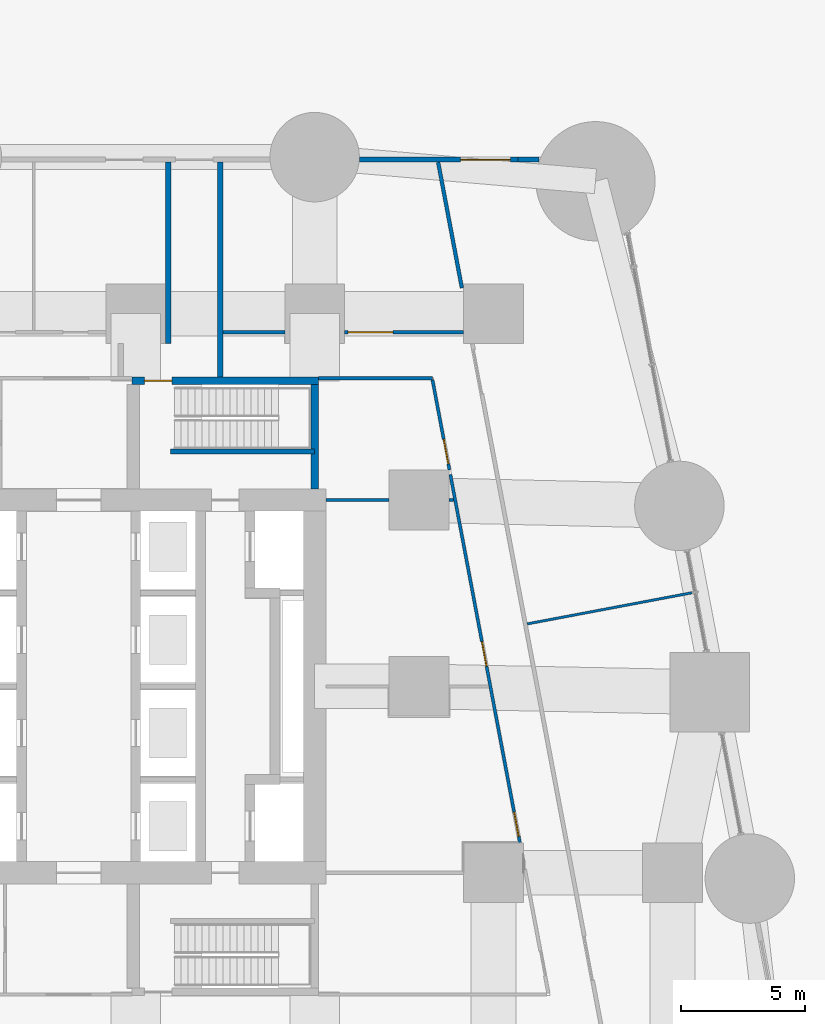
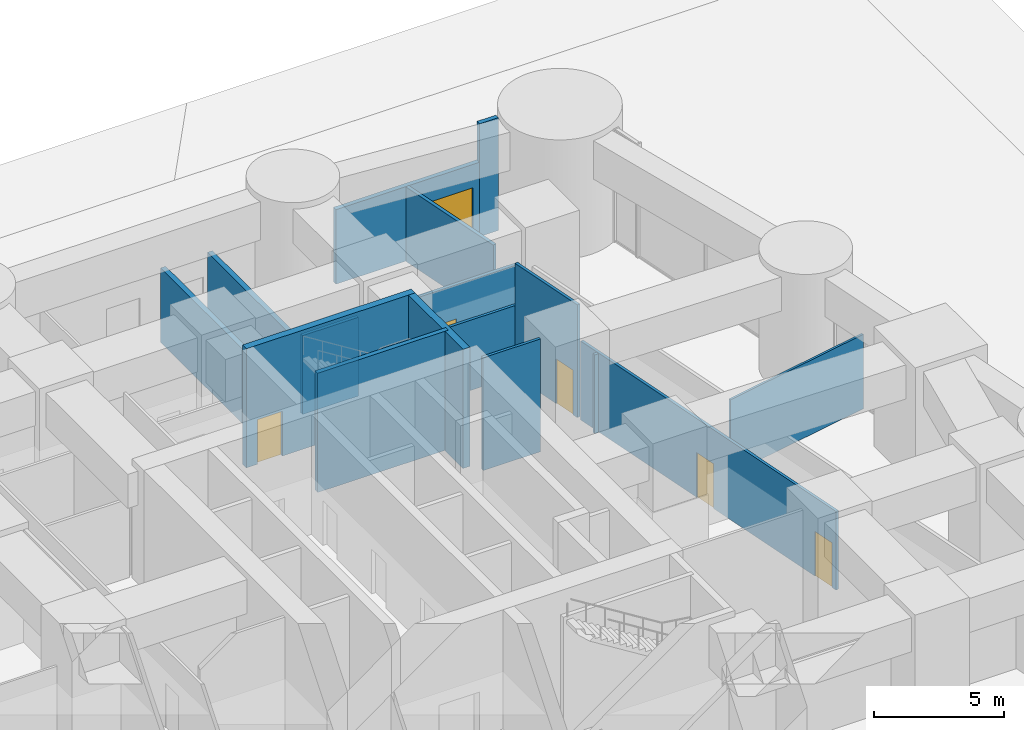
# One storey, part 12 of 16: 16 walls, 6 doors, 6 openings.
"""IFC4 building model written with IfcOpenShell, lengths in metres."""

from ifc_helpers import new_model, si_unit, direction, frame, frame_2d, origin, place, context, subcontext, project, spatial, rectangle, extrude, material, layer, layer_set, type_object, element, fill, save


model = new_model("IFC4")

# Units and contexts
model_context = context("Model", 3, precision=1e-05, world=origin(), true_north=direction((0.0, 1.0)))
body_context = subcontext(model_context, "Body", "Model", "MODEL_VIEW")
ifc_project = project(units=[si_unit("LENGTHUNIT", "METRE"), si_unit("AREAUNIT", "SQUARE_METRE"), si_unit("VOLUMEUNIT", "CUBIC_METRE"), si_unit("PLANEANGLEUNIT", "RADIAN"), si_unit("MASSUNIT", "GRAM", prefix="KILO")], contexts=[model_context])

# Site, building, storey
site_placement = place(None, origin())
site = spatial("IfcSite", under=ifc_project, at=site_placement, CompositionType="ELEMENT")
building_placement = place(site_placement, origin())
building = spatial("IfcBuilding", under=site, at=building_placement, Name="Sheger Commons Tower", CompositionType="ELEMENT")
storey_placement = place(building_placement, origin())
storey = spatial("IfcBuildingStorey", under=building, at=storey_placement, Name="L00", CompositionType="ELEMENT", Elevation=0.0)

# Wall
ifc_material_1 = material(Name="Hollow concrete block masonry, skimmed both sides", Category="masonry")
ifc_layer_1 = layer(ifc_material_1, 0.14990234375)
ifc_layer_set_1 = layer_set([ifc_layer_1], Name="CORRIDOR WALL 150")
wall_type_1 = type_object("IfcWallType", Name="CORRIDOR WALL 150", PredefinedType="SOLIDWALL", material=ifc_layer_set_1)
wall_1_placement = place(storey_placement, frame((25.113037109375, 36.75, 0.0), z_axis=(0.0, 0.0, 1.0), x_axis=(1.0, 0.0, 0.0)))
element("IfcWall", 1, at=wall_1_placement, inside=storey, type_object=wall_type_1, Name="Corridor wall L00", PredefinedType="SOLIDWALL", context=body_context, shape_type="SweptSolid", body=[
    extrude(rectangle(XDim=2.486083984375, YDim=0.14990234375, at=frame_2d((1.2431640625, 0.0))), origin(), (0.0, 0.0, 1.0), 3.699951171875),
])

# Wall, opening, door
wall_2_placement = place(storey_placement, frame((30.0009765625, 36.75, 0.0), z_axis=(0.0, 0.0, 1.0), x_axis=(1.0, 0.0, 0.0)))
wall_2 = element("IfcWall", 2, at=wall_2_placement, inside=storey, type_object=wall_type_1, Name="Corridor wall L00", PredefinedType="SOLIDWALL", context=body_context, shape_type="SweptSolid", body=[
    extrude(rectangle(XDim=4.798095703125, YDim=0.14990234375, at=frame_2d((2.39892578125, 0.0))), origin(), (0.0, 0.0, 1.0), 3.699951171875),
])
opening_1_placement = place(wall_2_placement, frame((0.14990234375, 0.0, 0.0)))
opening_1 = element("IfcOpeningElement", 3, at=opening_1_placement, cuts=wall_2, Name="Opening D6", PredefinedType="OPENING", context=body_context, shape_type="SweptSolid", body=[
    extrude(rectangle(XDim=1.800048828125, YDim=2.10009765625, at=frame_2d((0.89990234375, 1.050048828125))), frame((0.0, 0.0849609375, 0.0), z_axis=(0.0, -1.0, 0.0), x_axis=(1.0, 0.0, 0.0)), (0.0, 0.0, 1.0), 0.169921875),
])
ifc_material_2 = material(Name="Steel door set, fire rated", Category="steel")
door_type_1 = type_object("IfcDoorType", Name="LOBBY DOUBLE DOOR 1800x2100", OperationType="DOUBLE_DOOR_SINGLE_SWING", PredefinedType="DOOR", material=ifc_material_2)
door_1_placement = place(opening_1_placement, origin())
door_1 = element("IfcDoor", 4, at=door_1_placement, inside=storey, type_object=door_type_1, Name="Shop door", OperationType="DOUBLE_DOOR_SINGLE_SWING", OverallHeight=2.10009765625, OverallWidth=1.800048828125, PredefinedType="DOOR", context=body_context, shape_type="SweptSolid", body=[
    extrude(rectangle(XDim=1.800048828125, YDim=2.10009765625, at=frame_2d((0.89990234375, 1.050048828125))), frame((0.0, 0.02490234375, 0.0), z_axis=(0.0, -1.0, 0.0), x_axis=(1.0, 0.0, 0.0)), (0.0, 0.0, 1.0), 0.050048828125),
])
fill(opening_1, door_1)

# Walls
wall_3_placement = place(storey_placement, frame((33.76904296875, 43.60009765625, 0.0), z_axis=(0.0, 0.0, 1.0), x_axis=(0.185588997398, -0.98262745944, 0.0)))
element("IfcWall", 5, at=wall_3_placement, inside=storey, type_object=wall_type_1, Name="Corridor wall L00", PredefinedType="SOLIDWALL", context=body_context, shape_type="SweptSolid", body=[
    extrude(rectangle(XDim=5.15673828125, YDim=0.14990234375, at=frame_2d((2.578369140625, 0.0))), origin(), (0.0, 0.0, 1.0), 3.5),
])
ifc_material_3 = material(Name="Rendered concrete block masonry, dark grey", Category="masonry")
ifc_layer_2 = layer(ifc_material_3, 0.199951171875)
ifc_layer_set_2 = layer_set([ifc_layer_2], Name="FACADE WALL 200")
wall_type_2 = type_object("IfcWallType", Name="FACADE WALL 200", PredefinedType="SOLIDWALL", material=ifc_layer_set_2)
wall_4_placement = place(storey_placement, frame((37.820068359375, 43.699951171875, 0.0), z_axis=(0.0, 0.0, 1.0), x_axis=(-1.0, 0.0, 0.0)))
element("IfcWall", 6, at=wall_4_placement, inside=storey, type_object=wall_type_2, Name="Facade wall L00", PredefinedType="SOLIDWALL", context=body_context, shape_type="SweptSolid", body=[
    extrude(rectangle(XDim=0.843017578125, YDim=0.199951171875, at=frame_2d((0.42138671875, 0.0))), origin(), (0.0, 0.0, 1.0), 5.300048828125),
])

# Wall, opening, door
wall_5_placement = place(storey_placement, frame((36.97705078125, 43.699951171875, 0.0), z_axis=(0.0, 0.0, 1.0), x_axis=(-1.0, 0.0, 0.0)))
wall_5 = element("IfcWall", 7, at=wall_5_placement, inside=storey, type_object=wall_type_2, Name="Facade wall L00", PredefinedType="SOLIDWALL", context=body_context, shape_type="SweptSolid", body=[
    extrude(rectangle(XDim=6.3759765625, YDim=0.199951171875, at=frame_2d((3.18798828125, 0.0))), origin(), (0.0, 0.0, 1.0), 3.5),
])
opening_2_placement = place(wall_5_placement, frame((0.300048828125, 0.0, 0.0)))
opening_2 = element("IfcOpeningElement", 8, at=opening_2_placement, cuts=wall_5, Name="Opening DE1", PredefinedType="OPENING", context=body_context, shape_type="SweptSolid", body=[
    extrude(rectangle(XDim=2.0, YDim=2.39990234375, at=frame_2d((1.0, 1.199951171875))), frame((0.0, 0.10986328125, 0.0), z_axis=(0.0, -1.0, 0.0), x_axis=(1.0, 0.0, 0.0)), (0.0, 0.0, 1.0), 0.219970703125),
])
ifc_material_4 = material(Name="Black aluminium frame, dark tinted glazing", Category="aluminium")
door_type_2 = type_object("IfcDoorType", Name="ENTRANCE DOUBLE DOOR 2000x2400", OperationType="DOUBLE_DOOR_SINGLE_SWING", PredefinedType="DOOR", material=ifc_material_4)
door_2_placement = place(opening_2_placement, origin())
door_2 = element("IfcDoor", 9, at=door_2_placement, inside=storey, type_object=door_type_2, Name="Entrance door", OperationType="DOUBLE_DOOR_SINGLE_SWING", OverallHeight=2.39990234375, OverallWidth=2.0, PredefinedType="DOOR", context=body_context, shape_type="SweptSolid", body=[
    extrude(rectangle(XDim=2.0, YDim=2.39990234375, at=frame_2d((1.0, 1.199951171875))), frame((0.0, 0.02490234375, 0.0), z_axis=(0.0, -1.0, 0.0), x_axis=(1.0, 0.0, 0.0)), (0.0, 0.0, 1.0), 0.050048828125),
])
fill(opening_2, door_2)

# Walls
ifc_material_5 = material(Name="Dense concrete block masonry, skimmed both sides", Category="masonry")
ifc_layer_3 = layer(ifc_material_5, 0.22509765625)
ifc_layer_set_3 = layer_set([ifc_layer_3], Name="FIRE WALL 225")
wall_type_3 = type_object("IfcWallType", Name="FIRE WALL 225", PredefinedType="SOLIDWALL", material=ifc_layer_set_3)
wall_6_placement = place(storey_placement, frame((22.9150390625, 36.300048828125, 0.0), z_axis=(0.0, 0.0, 1.0), x_axis=(0.0, 1.0, 0.0)))
element("IfcWall", 10, at=wall_6_placement, inside=storey, type_object=wall_type_3, Name="Plant room wall L00", PredefinedType="SOLIDWALL", context=body_context, shape_type="SweptSolid", body=[
    extrude(rectangle(XDim=7.300048828125, YDim=0.22509765625, at=frame_2d((3.64990234375, 0.0))), origin(), (0.0, 0.0, 1.0), 3.5),
])
wall_7_placement = place(storey_placement, frame((25.0, 34.949951171875, 0.0), z_axis=(0.0, 0.0, 1.0), x_axis=(0.0, 1.0, 0.0)))
element("IfcWall", 11, at=wall_7_placement, inside=storey, type_object=wall_type_3, Name="Plant room wall L00", PredefinedType="SOLIDWALL", context=body_context, shape_type="SweptSolid", body=[
    extrude(rectangle(XDim=8.650146484375, YDim=0.22509765625, at=frame_2d((4.3251953125, 0.0))), origin(), (0.0, 0.0, 1.0), 3.5),
])
ifc_material_6 = material(Name="Gypsum board on steel studs", Category="steel")
ifc_layer_4 = layer(ifc_material_6, 0.10009765625)
ifc_layer_set_4 = layer_set([ifc_layer_4], Name="PARTITION 100")
wall_type_4 = type_object("IfcWallType", Name="PARTITION 100", PredefinedType="PARTITIONING", material=ifc_layer_set_4)
wall_8_placement = place(storey_placement, frame((43.988037109375, 26.26708984375, 0.0), z_axis=(0.0, 0.0, 1.0), x_axis=(-0.982612004876, -0.185670805118, 0.0)))
element("IfcWall", 12, at=wall_8_placement, inside=storey, type_object=wall_type_4, Name="Partition L00", PredefinedType="PARTITIONING", context=body_context, shape_type="SweptSolid", body=[
    extrude(rectangle(XDim=6.74951171875, YDim=0.10009765625, at=frame_2d((3.374755859375, 0.0))), origin(), (0.0, 0.0, 1.0), 3.5),
])
ifc_material_7 = material(Name="Gypsum board on steel studs, two layers each side, fire rated", Category="steel")
ifc_layer_5 = layer(ifc_material_7, 0.125)
ifc_layer_set_5 = layer_set([ifc_layer_5], Name="SERVICE WALL 125")
wall_type_5 = type_object("IfcWallType", Name="SERVICE WALL 125", PredefinedType="PARTITIONING", material=ifc_layer_set_5)
wall_9_placement = place(storey_placement, frame((28.949951171875, 34.89990234375, 0.0), z_axis=(0.0, 0.0, 1.0), x_axis=(1.0, 0.0, 0.0)))
element("IfcWall", 13, at=wall_9_placement, inside=storey, type_object=wall_type_5, Name="Service room wall L00", PredefinedType="PARTITIONING", context=body_context, shape_type="SweptSolid", body=[
    extrude(rectangle(XDim=4.588134765625, YDim=0.125, at=frame_2d((2.2939453125, 0.0))), origin(), (0.0, 0.0, 1.0), 3.300048828125),
])

# Wall, openings, doors
wall_10_placement = place(storey_placement, frame((37.05908203125, 16.212890625, 0.0), z_axis=(0.0, 0.0, 1.0), x_axis=(-0.185585225745, 0.982628171785, 0.0)))
wall_10 = element("IfcWall", 14, at=wall_10_placement, inside=storey, type_object=wall_type_5, Name="Service room wall L00", PredefinedType="PARTITIONING", context=body_context, shape_type="SweptSolid", body=[
    extrude(rectangle(XDim=15.07177734375, YDim=0.125, at=frame_2d((7.535888671875, 0.0))), origin(), (0.0, 0.0, 1.0), 3.699951171875),
])
opening_3_placement = place(wall_10_placement, frame((0.25, 0.0, 0.0)))
opening_3 = element("IfcOpeningElement", 15, at=opening_3_placement, cuts=wall_10, Name="Opening D4", PredefinedType="OPENING", context=body_context, shape_type="SweptSolid", body=[
    extrude(rectangle(XDim=1.0, YDim=2.10009765625, at=frame_2d((0.5, 1.050048828125))), frame((0.0, 0.072509765625, 0.0), z_axis=(0.0, -1.0, 0.0), x_axis=(1.0, 0.0, 0.0)), (0.0, 0.0, 1.0), 0.14501953125),
])
opening_4_placement = place(wall_10_placement, frame((7.220947265625, 0.0, 0.0)))
opening_4 = element("IfcOpeningElement", 16, at=opening_4_placement, cuts=wall_10, Name="Opening D4", PredefinedType="OPENING", context=body_context, shape_type="SweptSolid", body=[
    extrude(rectangle(XDim=1.0, YDim=2.10009765625, at=frame_2d((0.5, 1.050048828125))), frame((0.0, 0.072509765625, 0.0), z_axis=(0.0, -1.0, 0.0), x_axis=(1.0, 0.0, 0.0)), (0.0, 0.0, 1.0), 0.14501953125),
])
ifc_material_8 = material(Name="Steel door set, fire rated", Category="steel")
door_type_3 = type_object("IfcDoorType", Name="SERVICE DOOR 1000x2100", OperationType="NOTDEFINED", PredefinedType="DOOR", material=ifc_material_8)
door_3_placement = place(opening_3_placement, origin())
door_3 = element("IfcDoor", 17, at=door_3_placement, inside=storey, type_object=door_type_3, Name="Staff WC door", OperationType="SINGLE_SWING_LEFT", OverallHeight=2.10009765625, OverallWidth=1.0, PredefinedType="DOOR", context=body_context, shape_type="SweptSolid", body=[
    extrude(rectangle(XDim=1.0, YDim=2.10009765625, at=frame_2d((0.5, 1.050048828125))), frame((0.0, 0.02490234375, 0.0), z_axis=(0.0, -1.0, 0.0), x_axis=(1.0, 0.0, 0.0)), (0.0, 0.0, 1.0), 0.050048828125),
])
fill(opening_3, door_3)
door_4_placement = place(opening_4_placement, origin())
door_4 = element("IfcDoor", 18, at=door_4_placement, inside=storey, type_object=door_type_3, Name="Store door", OperationType="SINGLE_SWING_LEFT", OverallHeight=2.10009765625, OverallWidth=1.0, PredefinedType="DOOR", context=body_context, shape_type="SweptSolid", body=[
    extrude(rectangle(XDim=1.0, YDim=2.10009765625, at=frame_2d((0.5, 1.050048828125))), frame((0.0, 0.02490234375, 0.0), z_axis=(0.0, -1.0, 0.0), x_axis=(1.0, 0.0, 0.0)), (0.0, 0.0, 1.0), 0.050048828125),
])
fill(opening_4, door_4)

# Wall, opening, door
wall_11_placement = place(storey_placement, frame((34.22607421875, 31.212890625, 0.0), z_axis=(0.0, 0.0, 1.0), x_axis=(-0.185694811189, 0.982607468472, 0.0)))
wall_11 = element("IfcWall", 19, at=wall_11_placement, inside=storey, type_object=wall_type_5, Name="Service room wall L00", PredefinedType="PARTITIONING", context=body_context, shape_type="SweptSolid", body=[
    extrude(rectangle(XDim=3.689208984375, YDim=0.125, at=frame_2d((1.8447265625, 0.0))), origin(), (0.0, 0.0, 1.0), 5.300048828125),
])
opening_5_placement = place(wall_11_placement, frame((0.25, 0.0, 0.0)))
opening_5 = element("IfcOpeningElement", 20, at=opening_5_placement, cuts=wall_11, Name="Opening D4", PredefinedType="OPENING", context=body_context, shape_type="SweptSolid", body=[
    extrude(rectangle(XDim=1.0, YDim=2.10009765625, at=frame_2d((0.5, 1.050048828125))), frame((0.0, 0.072509765625, 0.0), z_axis=(0.0, -1.0, 0.0), x_axis=(1.0, 0.0, 0.0)), (0.0, 0.0, 1.0), 0.14501953125),
])
door_5_placement = place(opening_5_placement, origin())
door_5 = element("IfcDoor", 21, at=door_5_placement, inside=storey, type_object=door_type_3, Name="Store door", OperationType="SINGLE_SWING_LEFT", OverallHeight=2.10009765625, OverallWidth=1.0, PredefinedType="DOOR", context=body_context, shape_type="SweptSolid", body=[
    extrude(rectangle(XDim=1.0, YDim=2.10009765625, at=frame_2d((0.5, 1.050048828125))), frame((0.0, 0.02490234375, 0.0), z_axis=(0.0, -1.0, 0.0), x_axis=(1.0, 0.0, 0.0)), (0.0, 0.0, 1.0), 0.050048828125),
])
fill(opening_5, door_5)

# Walls
wall_12_placement = place(storey_placement, frame((29.25, 30.0, 0.0), z_axis=(0.0, 0.0, 1.0), x_axis=(1.0, 0.0, 0.0)))
element("IfcWall", 22, at=wall_12_placement, inside=storey, type_object=wall_type_5, Name="Service room wall L00", PredefinedType="PARTITIONING", context=body_context, shape_type="SweptSolid", body=[
    extrude(rectangle(XDim=2.549072265625, YDim=0.125, at=frame_2d((1.2744140625, 0.0))), origin(), (0.0, 0.0, 1.0), 5.300048828125),
])
wall_13_placement = place(storey_placement, frame((34.200927734375, 30.0, 0.0), z_axis=(0.0, 0.0, 1.0), x_axis=(1.0, 0.0, 0.0)))
element("IfcWall", 23, at=wall_13_placement, inside=storey, type_object=wall_type_5, Name="Service room wall L00", PredefinedType="PARTITIONING", context=body_context, shape_type="SweptSolid", body=[
    extrude(rectangle(XDim=0.177978515625, YDim=0.125, at=frame_2d((0.0888671875, 0.0))), origin(), (0.0, 0.0, 1.0), 3.699951171875),
])

# Wall, opening, door
ifc_material_9 = material(Name="Concrete C50/60", Category="concrete")
ifc_layer_6 = layer(ifc_material_9, 0.300048828125)
ifc_layer_set_6 = layer_set([ifc_layer_6], Name="STAIR CORE WALL 300")
wall_type_6 = type_object("IfcWallType", Name="STAIR CORE WALL 300", PredefinedType="SHEAR", material=ifc_layer_set_6)
wall_14_placement = place(storey_placement, frame((21.449951171875, 34.800048828125, 0.0), z_axis=(0.0, 0.0, 1.0), x_axis=(1.0, 0.0, 0.0)))
wall_14 = element("IfcWall", 24, at=wall_14_placement, inside=storey, type_object=wall_type_6, Name="STW-L00-S2N", PredefinedType="SHEAR", context=body_context, shape_type="SweptSolid", body=[
    extrude(rectangle(XDim=7.5, YDim=0.300048828125, at=frame_2d((3.75, 0.0))), origin(), (0.0, 0.0, 1.0), 5.60009765625),
])
opening_6_placement = place(wall_14_placement, frame((0.5, 0.0, 0.0)))
opening_6 = element("IfcOpeningElement", 25, at=opening_6_placement, cuts=wall_14, Name="Opening D5", PredefinedType="OPENING", context=body_context, shape_type="SweptSolid", body=[
    extrude(rectangle(XDim=1.10009765625, YDim=2.10009765625, at=frame_2d((0.550048828125, 1.050048828125))), frame((0.0, 0.159912109375, 0.0), z_axis=(0.0, -1.0, 0.0), x_axis=(1.0, 0.0, 0.0)), (0.0, 0.0, 1.0), 0.320068359375),
])
ifc_material_10 = material(Name="Steel door set, fire rated", Category="steel")
door_type_4 = type_object("IfcDoorType", Name="STAIR DOOR 1100x2100", OperationType="NOTDEFINED", PredefinedType="DOOR", material=ifc_material_10)
door_6_placement = place(opening_6_placement, origin())
door_6 = element("IfcDoor", 26, at=door_6_placement, inside=storey, type_object=door_type_4, Name="Stair S2 door", OperationType="SINGLE_SWING_LEFT", OverallHeight=2.10009765625, OverallWidth=1.10009765625, PredefinedType="DOOR", context=body_context, shape_type="SweptSolid", body=[
    extrude(rectangle(XDim=1.10009765625, YDim=2.10009765625, at=frame_2d((0.550048828125, 1.050048828125))), frame((0.0, 0.02490234375, 0.0), z_axis=(0.0, -1.0, 0.0), x_axis=(1.0, 0.0, 0.0)), (0.0, 0.0, 1.0), 0.050048828125),
])
fill(opening_6, door_6)

# Walls
wall_15_placement = place(storey_placement, frame((28.800048828125, 30.449951171875, 0.0), z_axis=(0.0, 0.0, 1.0), x_axis=(0.0, 1.0, 0.0)))
element("IfcWall", 27, at=wall_15_placement, inside=storey, type_object=wall_type_6, Name="STW-L00-S2E", PredefinedType="SHEAR", context=body_context, shape_type="SweptSolid", body=[
    extrude(rectangle(XDim=4.199951171875, YDim=0.300048828125, at=frame_2d((2.10009765625, 0.0))), origin(), (0.0, 0.0, 1.0), 5.60009765625),
])
ifc_material_11 = material(Name="Concrete C50/60", Category="concrete")
ifc_layer_7 = layer(ifc_material_11, 0.199951171875)
ifc_layer_set_7 = layer_set([ifc_layer_7], Name="STAIR SPINE WALL 200")
wall_type_7 = type_object("IfcWallType", Name="STAIR SPINE WALL 200", PredefinedType="SHEAR", material=ifc_layer_set_7)
wall_16_placement = place(storey_placement, frame((23.0, 31.949951171875, 0.0), z_axis=(0.0, 0.0, 1.0), x_axis=(1.0, 0.0, 0.0)))
element("IfcWall", 28, at=wall_16_placement, inside=storey, type_object=wall_type_7, Name="Stair spine wall L00", PredefinedType="SHEAR", context=body_context, shape_type="SweptSolid", body=[
    extrude(rectangle(XDim=5.800048828125, YDim=0.199951171875, at=frame_2d((2.89990234375, 0.0))), origin(), (0.0, 0.0, 1.0), 5.60009765625),
])

save(model, "model.ifc")
